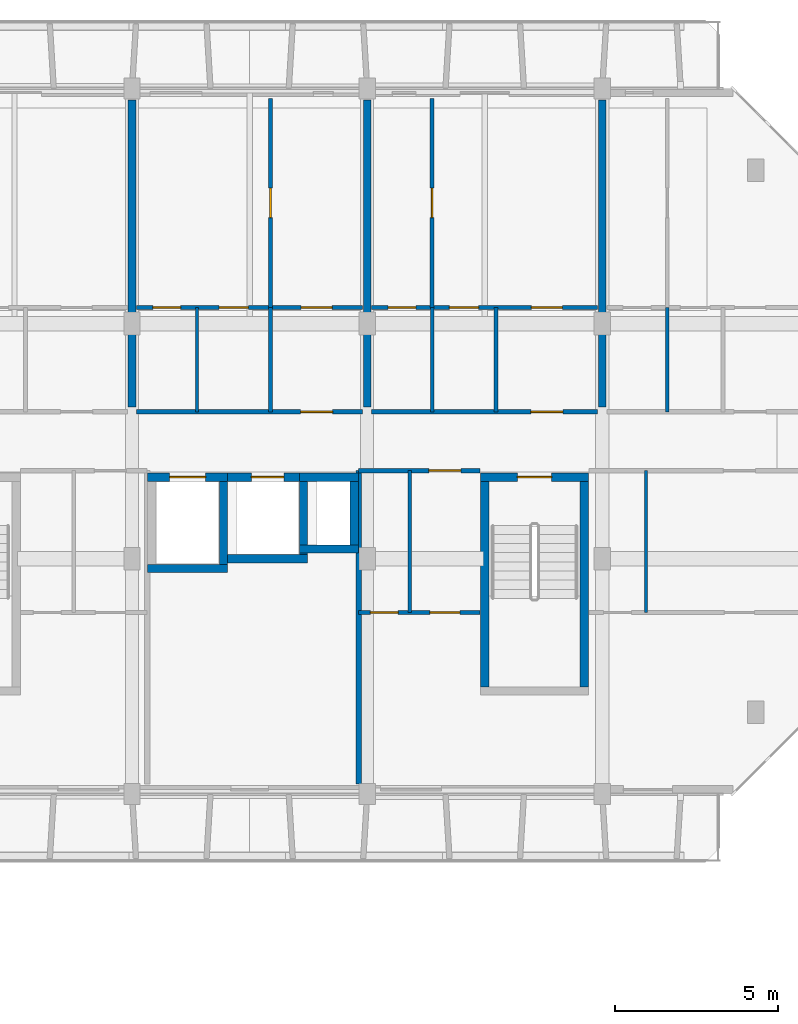
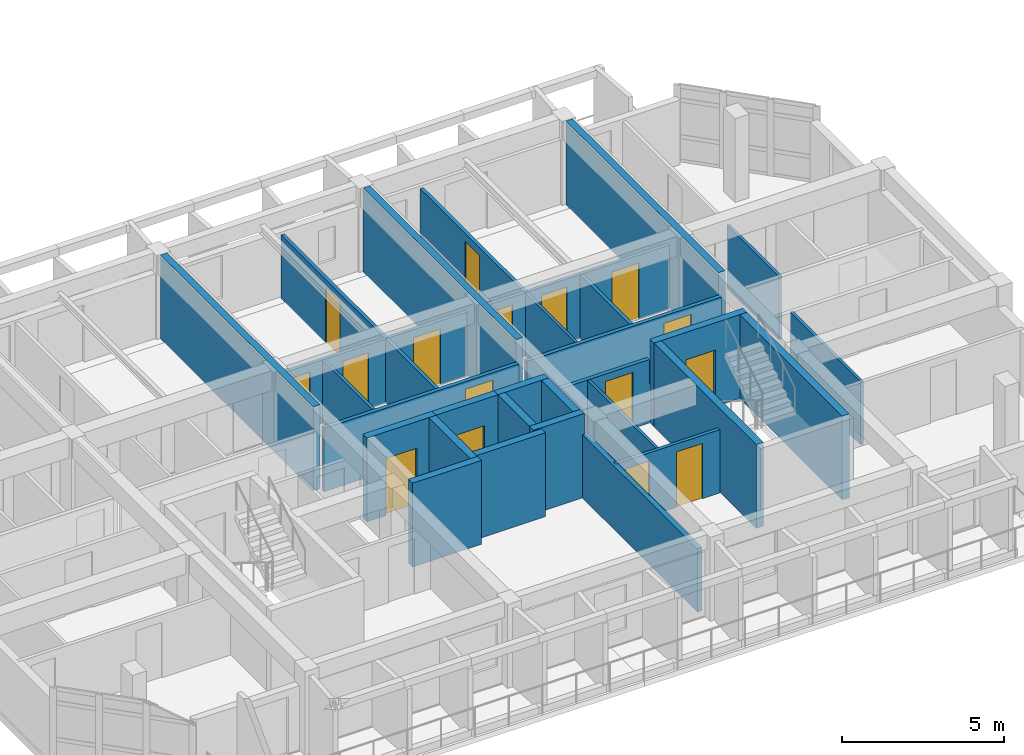
# One storey, part 37 of 64: 31 walls, 16 doors, 16 openings.
"""IFC4 building model written with IfcOpenShell, lengths in metres."""

import ifcopenshell
import ifcopenshell.guid

model = None  # the IFC model being written
_history = None  # IfcOwnerHistory: only IFC2X3 demands one
_inside = {}  # id of a spatial element -> (the spatial element, [elements in it])
_under = {}  # id of a project, library or spatial element -> (it, [spatial elements below it])
_declared = {}  # id of a project -> (the project, [libraries it declares])
_typed = {}  # id of a type object -> (the type object, [elements of that type])
_made_of = {}  # id of a material, layer set ... -> (it, [elements and type objects made of it])


def new_model(schema):
    """Start an empty IFC model of exactly this schema.

    Asked for "IFC4X3", IfcOpenShell would pick the latest addendum, in which some entities
    have other attributes; the version numbers below select the first issue.
    IFC2X3 requires an IfcOwnerHistory on every rooted entity: one is made here for all.
    """
    global model, _history
    if schema == "IFC4X3":
        model = ifcopenshell.file(schema_version=(4, 3, 0, 0))
    else:
        model = ifcopenshell.file(schema=schema)
    _inside.clear()
    _under.clear()
    _declared.clear()
    _typed.clear()
    _made_of.clear()
    _history = None
    if model.schema == "IFC2X3":
        org = make("IfcOrganization", Name="unknown")
        user = make(
            "IfcPersonAndOrganization",
            ThePerson=make("IfcPerson", FamilyName="unknown"),
            TheOrganization=org,
        )
        app = make(
            "IfcApplication",
            ApplicationDeveloper=org,
            Version="unknown",
            ApplicationFullName="unknown",
            ApplicationIdentifier="unknown",
        )
        _history = make(
            "IfcOwnerHistory",
            OwningUser=user,
            OwningApplication=app,
            ChangeAction="ADDED",
            CreationDate=0,
        )
    return model


def make(cls, **values):
    """One entity of the class cls with the attributes given. An attribute that is None is left unset."""
    return model.create_entity(
        cls, **{name: value for name, value in values.items() if value is not None}
    )


def rooted(cls, **values):
    """An entity with a GlobalId (a new one), such as an element, a storey or a relation."""
    return make(cls, GlobalId=ifcopenshell.guid.new(), OwnerHistory=_history, **values)


def si_unit(unit_type, name, prefix=None):
    """IfcSIUnit, for example si_unit("LENGTHUNIT", "METRE", prefix="MILLI")."""
    return make("IfcSIUnit", UnitType=unit_type, Prefix=prefix, Name=name)


def assignment(units):
    """IfcUnitAssignment: the units of a project."""
    return None if units is None else make("IfcUnitAssignment", Units=units)


def point(xyz):
    """IfcCartesianPoint."""
    return None if xyz is None else make("IfcCartesianPoint", Coordinates=xyz)


def direction(xyz):
    """IfcDirection."""
    return None if xyz is None else make("IfcDirection", DirectionRatios=xyz)


def frame(location, z_axis=None, x_axis=None):
    """IfcAxis2Placement3D, a coordinate frame: its origin and axes. An axis left out is left unset."""
    return make(
        "IfcAxis2Placement3D",
        Location=point(location),
        Axis=direction(z_axis),
        RefDirection=direction(x_axis),
    )


def frame_2d(location, x_axis=None):
    """IfcAxis2Placement2D, a coordinate frame in the plane: its origin and x axis."""
    return make(
        "IfcAxis2Placement2D", Location=point(location), RefDirection=direction(x_axis)
    )


def origin():
    """The frame at (0, 0, 0) with its axes left unset."""
    return frame((0.0, 0.0, 0.0))


def place(relative_to, where):
    """IfcLocalPlacement: puts the frame where relative to a parent placement (None: the world)."""
    return make(
        "IfcLocalPlacement", PlacementRelTo=relative_to, RelativePlacement=where
    )


def context(
    kind, dimensions, precision=None, world=None, true_north=None, identifier=None
):
    """IfcGeometricRepresentationContext, for example the 3D "Model" context."""
    return make(
        "IfcGeometricRepresentationContext",
        ContextIdentifier=identifier,
        ContextType=kind,
        CoordinateSpaceDimension=dimensions,
        Precision=precision,
        WorldCoordinateSystem=world,
        TrueNorth=true_north,
    )


def subcontext(parent, identifier, kind, view, scale=None):
    """IfcGeometricRepresentationSubContext, for example "Body" below "Model"."""
    return make(
        "IfcGeometricRepresentationSubContext",
        ContextIdentifier=identifier,
        ContextType=kind,
        ParentContext=parent,
        TargetScale=scale,
        TargetView=view,
    )


def project(units=None, contexts=None):
    """IfcProject with its units and contexts."""
    return rooted(
        "IfcProject",
        Name="project",
        RepresentationContexts=contexts,
        UnitsInContext=assignment(units),
    )


def spatial(cls, under=None, at=None, **own):
    """A site, building, storey or space (cls), placed at a placement, below another one or the project."""
    s = rooted(cls, ObjectPlacement=at, **own)
    if under is not None:
        _under.setdefault(under.id(), (under, []))[1].append(s)
    return s


def profile(cls, at=None, kind="AREA", **sizes):
    """A parametric profile (cls). Its sizes go by their IFC names, for example OverallWidth=200.0."""
    return make(cls, ProfileType=kind, Position=at, **sizes)


def rectangle(**sizes):
    """IfcRectangleProfileDef."""
    return profile("IfcRectangleProfileDef", **sizes)


def extrude(swept, where, along, depth):
    """IfcExtrudedAreaSolid: the profile swept, set in the frame where, extruded along a direction by depth."""
    return make(
        "IfcExtrudedAreaSolid",
        SweptArea=swept,
        Position=where,
        ExtrudedDirection=direction(along),
        Depth=depth,
    )


def shape(context_of_items, identifier, shape_type, items):
    """IfcShapeRepresentation: the items that make up one representation, for example the "Body"."""
    return make(
        "IfcShapeRepresentation",
        ContextOfItems=context_of_items,
        RepresentationIdentifier=identifier,
        RepresentationType=shape_type,
        Items=items,
    )


def material(Name=None, Category=None):
    """IfcMaterial."""
    return make("IfcMaterial", Name=Name, Category=Category)


def layer(
    of_material, thickness, ventilated=None, Name=None, Category=None, Priority=None
):
    """IfcMaterialLayer: one layer of a wall or slab, of a material (None: an air gap)."""
    return make(
        "IfcMaterialLayer",
        Material=of_material,
        LayerThickness=thickness,
        IsVentilated=ventilated,
        Name=Name,
        Category=Category,
        Priority=Priority,
    )


def layer_set(layers, Name=None):
    """IfcMaterialLayerSet."""
    return make("IfcMaterialLayerSet", MaterialLayers=layers, LayerSetName=Name)


def made_of(thing, what):
    """Note that an element or type object is made of a material, layer set ...; save() writes the relation."""
    if what is not None:
        _made_of.setdefault(what.id(), (what, []))[1].append(thing)
    return thing


def type_object(cls, material=None, **own):
    """A type object (cls), such as IfcWallType, which elements share."""
    return made_of(rooted(cls, **own), material)


def element(
    cls,
    number,
    at=None,
    inside=None,
    cuts=None,
    type_object=None,
    material=None,
    context=None,
    identifier="Body",
    shape_type=None,
    held_by="IfcProductDefinitionShape",
    body=None,
    shapes=None,
    **own,
):
    """One element of the class cls, such as IfcWall. Its Tag is "e" and its number.

    at: its placement. inside: the storey or other place that contains it. cuts: it is an
    opening in that element (IfcRelVoidsElement). A single representation is given by context,
    identifier, shape_type and body (its items); several are given by shapes. held_by: the class
    of the entity that holds the representations. save() writes the other relations.
    """
    e = rooted(cls, Tag="e%d" % number, ObjectPlacement=at, **own)
    if body is not None:
        shapes = [shape(context, identifier, shape_type, body)]
    if shapes is not None:
        e.Representation = make(held_by, Representations=shapes)
    if inside is not None:
        _inside.setdefault(inside.id(), (inside, []))[1].append(e)
    if cuts is not None:
        rooted(
            "IfcRelVoidsElement", RelatingBuildingElement=cuts, RelatedOpeningElement=e
        )
    if type_object is not None:
        _typed.setdefault(type_object.id(), (type_object, []))[1].append(e)
    return made_of(e, material)


def fill(opening, filler):
    """IfcRelFillsElement: the door or window that sits in an opening."""
    return rooted(
        "IfcRelFillsElement",
        RelatingOpeningElement=opening,
        RelatedBuildingElement=filler,
    )


def aggregate(whole, parts):
    """IfcRelAggregates: a whole, such as a stair, and the parts it consists of."""
    return rooted("IfcRelAggregates", RelatingObject=whole, RelatedObjects=parts)


def save(model, path):
    """Write the relations noted so far, then the file.

    IfcRelAggregates (storeys below a building ...), IfcRelContainedInSpatialStructure (elements
    in a storey), IfcRelDefinesByType, IfcRelAssociatesMaterial and IfcRelDeclares: one each for
    every whole, place, type object, material and project.
    """
    for whole, parts in _under.values():
        aggregate(whole, parts)
    for where, things in _inside.values():
        rooted(
            "IfcRelContainedInSpatialStructure",
            RelatedElements=things,
            RelatingStructure=where,
        )
    for kind, things in _typed.values():
        rooted("IfcRelDefinesByType", RelatedObjects=things, RelatingType=kind)
    for what, things in _made_of.values():
        rooted("IfcRelAssociatesMaterial", RelatedObjects=things, RelatingMaterial=what)
    for by, libraries in _declared.values():
        rooted("IfcRelDeclares", RelatingContext=by, RelatedDefinitions=libraries)
    model.write(path)


model = new_model("IFC4")

# Units and contexts
model_context = context("Model", 3, precision=1e-05, world=origin(), true_north=direction((0.0, 1.0)))
body_context = subcontext(model_context, "Body", "Model", "MODEL_VIEW")
ifc_project = project(units=[si_unit("LENGTHUNIT", "METRE"), si_unit("AREAUNIT", "SQUARE_METRE"), si_unit("VOLUMEUNIT", "CUBIC_METRE"), si_unit("PLANEANGLEUNIT", "RADIAN"), si_unit("MASSUNIT", "GRAM", prefix="KILO")], contexts=[model_context])

# Site, building, storey
site_placement = place(None, origin())
site = spatial("IfcSite", under=ifc_project, at=site_placement, CompositionType="ELEMENT")
building_placement = place(site_placement, origin())
building = spatial("IfcBuilding", under=site, at=building_placement, Name="Ochrevale Crest", CompositionType="ELEMENT")
storey_placement = place(building_placement, frame((0.0, 0.0, 8.699951171875)))
storey = spatial("IfcBuildingStorey", under=building, at=storey_placement, Name="L02", CompositionType="ELEMENT", Elevation=8.699951171875)

# Wall, opening, door
ifc_material_1 = material(Name="Gypsum plasterboard", Category="gypsum")
ifc_layer_1 = layer(ifc_material_1, 0.139892578125)
ifc_layer_set_1 = layer_set([ifc_layer_1], Name="Gypsum plasterboard")
wall_type_1 = type_object("IfcWallType", Name="WL-COR-140", PredefinedType="PARTITIONING", material=ifc_layer_set_1)
wall_1_placement = place(storey_placement, frame((14.5400390625, 83.699951171875, 0.0), z_axis=(0.0, 0.0, 1.0), x_axis=(1.0, 0.0, 0.0)))
wall_1 = element("IfcWall", 1, at=wall_1_placement, inside=storey, type_object=wall_type_1, Name="Apartment B-L02-U3 corridor wall", PredefinedType="PARTITIONING", context=body_context, shape_type="SweptSolid", body=[
    extrude(rectangle(XDim=6.919921875, YDim=0.139892578125, at=frame_2d((3.4599609375, 0.0))), origin(), (0.0, 0.0, 1.0), 2.380126953125),
])
opening_1_placement = place(wall_1_placement, frame((5.02001953125, 0.0, 0.0)))
opening_1 = element("IfcOpeningElement", 2, at=opening_1_placement, cuts=wall_1, Name="Opening FD01", PredefinedType="OPENING", context=body_context, shape_type="SweptSolid", body=[
    extrude(rectangle(XDim=0.97998046875, YDim=2.10009765625, at=frame_2d((0.489990234375, 1.050048828125))), frame((0.0, 0.080078125, 0.0), z_axis=(0.0, -1.0, 0.0), x_axis=(1.0, 0.0, 0.0)), (0.0, 0.0, 1.0), 0.159912109375),
])
ifc_material_2 = material(Name="Solid-core FSC hardwood", Category="wood")
door_type_1 = type_object("IfcDoorType", Name="DR-APT-950", OperationType="NOTDEFINED", PredefinedType="DOOR", material=ifc_material_2)
door_1_placement = place(opening_1_placement, origin())
door_1 = element("IfcDoor", 3, at=door_1_placement, inside=storey, type_object=door_type_1, Name="Apartment B-L02-U3 entrance door", OperationType="SINGLE_SWING_LEFT", OverallHeight=2.10009765625, OverallWidth=0.97998046875, PredefinedType="DOOR", context=body_context, shape_type="SweptSolid", body=[
    extrude(rectangle(XDim=0.97998046875, YDim=2.10009765625, at=frame_2d((0.489990234375, 1.050048828125))), frame((0.0, 0.02490234375, 0.0), z_axis=(0.0, -1.0, 0.0), x_axis=(1.0, 0.0, 0.0)), (0.0, 0.0, 1.0), 0.050048828125),
])
fill(opening_1, door_1)

wall_2_placement = place(storey_placement, frame((21.739990234375, 83.699951171875, 0.0), z_axis=(0.0, 0.0, 1.0), x_axis=(1.0, 0.0, 0.0)))
wall_2 = element("IfcWall", 4, at=wall_2_placement, inside=storey, type_object=wall_type_1, Name="Apartment B-L02-U4 corridor wall", PredefinedType="PARTITIONING", context=body_context, shape_type="SweptSolid", body=[
    extrude(rectangle(XDim=6.919921875, YDim=0.139892578125, at=frame_2d((3.4599609375, 0.0))), origin(), (0.0, 0.0, 1.0), 2.380126953125),
])
opening_2_placement = place(wall_2_placement, frame((5.85009765625, 0.0, 0.0), z_axis=(0.0, 0.0, 1.0), x_axis=(-1.0, 0.0, 0.0)))
opening_2 = element("IfcOpeningElement", 5, at=opening_2_placement, cuts=wall_2, Name="Opening FD01", PredefinedType="OPENING", context=body_context, shape_type="SweptSolid", body=[
    extrude(rectangle(XDim=0.97998046875, YDim=2.10009765625, at=frame_2d((0.489990234375, 1.050048828125))), frame((0.0, 0.080078125, 0.0), z_axis=(0.0, -1.0, 0.0), x_axis=(1.0, 0.0, 0.0)), (0.0, 0.0, 1.0), 0.159912109375),
])
door_2_placement = place(opening_2_placement, origin())
door_2 = element("IfcDoor", 6, at=door_2_placement, inside=storey, type_object=door_type_1, Name="Apartment B-L02-U4 entrance door", OperationType="SINGLE_SWING_RIGHT", OverallHeight=2.10009765625, OverallWidth=0.97998046875, PredefinedType="DOOR", context=body_context, shape_type="SweptSolid", body=[
    extrude(rectangle(XDim=0.97998046875, YDim=2.10009765625, at=frame_2d((0.489990234375, 1.050048828125))), frame((0.0, 0.02490234375, 0.0), z_axis=(0.0, -1.0, 0.0), x_axis=(1.0, 0.0, 0.0)), (0.0, 0.0, 1.0), 0.050048828125),
])
fill(opening_2, door_2)

wall_3_placement = place(storey_placement, frame((21.340087890625, 81.89990234375, 0.0), z_axis=(0.0, 0.0, 1.0), x_axis=(1.0, 0.0, 0.0)))
wall_3 = element("IfcWall", 7, at=wall_3_placement, inside=storey, type_object=wall_type_1, Name="Suite B-L02-ME corridor wall", PredefinedType="PARTITIONING", context=body_context, shape_type="SweptSolid", body=[
    extrude(rectangle(XDim=3.719970703125, YDim=0.139892578125, at=frame_2d((1.85986328125, 0.0))), origin(), (0.0, 0.0, 1.0), 2.380126953125),
])
opening_3_placement = place(wall_3_placement, frame((3.131103515625, 0.0, 0.0), z_axis=(0.0, 0.0, 1.0), x_axis=(-1.0, 0.0, 0.0)))
opening_3 = element("IfcOpeningElement", 8, at=opening_3_placement, cuts=wall_3, Name="Opening FD01", PredefinedType="OPENING", context=body_context, shape_type="SweptSolid", body=[
    extrude(rectangle(XDim=0.97998046875, YDim=2.10009765625, at=frame_2d((0.489990234375, 1.050048828125))), frame((0.0, 0.080078125, 0.0), z_axis=(0.0, -1.0, 0.0), x_axis=(1.0, 0.0, 0.0)), (0.0, 0.0, 1.0), 0.159912109375),
])
door_3_placement = place(opening_3_placement, origin())
door_3 = element("IfcDoor", 9, at=door_3_placement, inside=storey, type_object=door_type_1, Name="Suite B-L02-ME entrance door", OperationType="SINGLE_SWING_RIGHT", OverallHeight=2.10009765625, OverallWidth=0.97998046875, PredefinedType="DOOR", context=body_context, shape_type="SweptSolid", body=[
    extrude(rectangle(XDim=0.97998046875, YDim=2.10009765625, at=frame_2d((0.489990234375, 1.050048828125))), frame((0.0, 0.02490234375, 0.0), z_axis=(0.0, -1.0, 0.0), x_axis=(1.0, 0.0, 0.0)), (0.0, 0.0, 1.0), 0.050048828125),
])
fill(opening_3, door_3)

ifc_material_3 = material(Name="Precast concrete C50/60", Category="concrete")
ifc_layer_2 = layer(ifc_material_3, 0.2548828125)
ifc_layer_set_2 = layer_set([ifc_layer_2], Name="Precast concrete C50/60")
wall_type_2 = type_object("IfcWallType", Name="WL-CORE-255", PredefinedType="SHEAR", material=ifc_layer_set_2)
wall_4_placement = place(storey_placement, frame((25.072509765625, 81.699951171875, 0.0), z_axis=(0.0, 0.0, 1.0), x_axis=(1.0, 0.0, 0.0)))
wall_4 = element("IfcWall", 10, at=wall_4_placement, inside=storey, type_object=wall_type_2, Name="Block B L02 Stair 2 precast core shear wall N", PredefinedType="SHEAR", context=body_context, shape_type="SweptSolid", body=[
    extrude(rectangle(XDim=3.304931640625, YDim=0.2548828125, at=frame_2d((1.65234375, 0.0))), origin(), (0.0, 0.0, 1.0), 3.150146484375),
])
opening_4_placement = place(wall_4_placement, frame((1.12744140625, 0.0, 0.0)))
opening_4 = element("IfcOpeningElement", 11, at=opening_4_placement, cuts=wall_4, Name="Opening FD03", PredefinedType="OPENING", context=body_context, shape_type="SweptSolid", body=[
    extrude(rectangle(XDim=1.050048828125, YDim=2.1201171875, at=frame_2d((0.52490234375, 1.06005859375))), frame((0.0, 0.137451171875, 0.0), z_axis=(0.0, -1.0, 0.0), x_axis=(1.0, 0.0, 0.0)), (0.0, 0.0, 1.0), 0.27490234375),
])
door_type_2 = type_object("IfcDoorType", Name="DR-ST-1050", OperationType="NOTDEFINED", PredefinedType="DOOR", material=ifc_material_2)
door_4_placement = place(opening_4_placement, origin())
door_4 = element("IfcDoor", 12, at=door_4_placement, inside=storey, type_object=door_type_2, Name="Block B L02 fire stair 2 door", OperationType="SINGLE_SWING_LEFT", OverallHeight=2.1201171875, OverallWidth=1.050048828125, PredefinedType="DOOR", context=body_context, shape_type="SweptSolid", body=[
    extrude(rectangle(XDim=1.050048828125, YDim=2.1201171875, at=frame_2d((0.52490234375, 1.06005859375))), frame((0.0, 0.02490234375, 0.0), z_axis=(0.0, -1.0, 0.0), x_axis=(1.0, 0.0, 0.0)), (0.0, 0.0, 1.0), 0.050048828125),
])
fill(opening_4, door_4)

# Walls
for number, where, z_axis, x_axis, name in (
    (13, (25.199951171875, 75.277587890625, 0.0), (0.0, 0.0, 1.0), (0.0, 1.0, 0.0), "Block B L02 Stair 2 precast core shear wall W"),
    (14, (28.25, 75.277587890625, 0.0), (0.0, 0.0, 1.0), (0.0, 1.0, 0.0), "Block B L02 Stair 2 precast core shear wall E"),
):
    element("IfcWall", number, at=place(storey_placement, frame(where, z_axis=z_axis, x_axis=x_axis)), inside=storey, type_object=wall_type_2, Name=name, PredefinedType="SHEAR", context=body_context, shape_type="SweptSolid", body=[
        extrude(rectangle(XDim=6.294921875, YDim=0.2548828125, at=frame_2d((3.1474609375, 0.0))), origin(), (0.0, 0.0, 1.0), 3.150146484375),
    ])
wall_5_placement = place(storey_placement, frame((14.87255859375, 78.89990234375, 0.0), z_axis=(0.0, 0.0, 1.0), x_axis=(1.0, 0.0, 0.0)))
element("IfcWall", 15, at=wall_5_placement, inside=storey, type_object=wall_type_2, Name="Block B L02 Lift 1 precast shaft shear wall S", PredefinedType="SHEAR", context=body_context, shape_type="SweptSolid", body=[
    extrude(rectangle(XDim=2.454833984375, YDim=0.2548828125, at=frame_2d((1.2275390625, 0.0))), origin(), (0.0, 0.0, 1.0), 3.150146484375),
])

# Wall, opening, door
wall_6_placement = place(storey_placement, frame((14.87255859375, 81.699951171875, 0.0), z_axis=(0.0, 0.0, 1.0), x_axis=(1.0, 0.0, 0.0)))
wall_6 = element("IfcWall", 16, at=wall_6_placement, inside=storey, type_object=wall_type_2, Name="Block B L02 Lift 1 precast shaft shear wall N", PredefinedType="SHEAR", context=body_context, shape_type="SweptSolid", body=[
    extrude(rectangle(XDim=2.454833984375, YDim=0.2548828125, at=frame_2d((1.2275390625, 0.0))), origin(), (0.0, 0.0, 1.0), 3.150146484375),
])
opening_5_placement = place(wall_6_placement, frame((0.677490234375, 0.0, 0.0)))
opening_5 = element("IfcOpeningElement", 17, at=opening_5_placement, cuts=wall_6, Name="Opening LD01", PredefinedType="OPENING", context=body_context, shape_type="SweptSolid", body=[
    extrude(rectangle(XDim=1.10009765625, YDim=2.14990234375, at=frame_2d((0.550048828125, 1.074951171875))), frame((0.0, 0.137451171875, 0.0), z_axis=(0.0, -1.0, 0.0), x_axis=(1.0, 0.0, 0.0)), (0.0, 0.0, 1.0), 0.27490234375),
])
door_type_3 = type_object("IfcDoorType", Name="DR-LIFT-1100", OperationType="NOTDEFINED", PredefinedType="DOOR", material=ifc_material_2)
door_5_placement = place(opening_5_placement, origin())
door_5 = element("IfcDoor", 18, at=door_5_placement, inside=storey, type_object=door_type_3, Name="Lift LF-B1 L02 sliding landing door", OperationType="SLIDING_TO_LEFT", OverallHeight=2.14990234375, OverallWidth=1.10009765625, PredefinedType="DOOR", context=body_context, shape_type="SweptSolid", body=[
    extrude(rectangle(XDim=1.10009765625, YDim=2.14990234375, at=frame_2d((0.550048828125, 1.074951171875))), frame((0.0, 0.02490234375, 0.0), z_axis=(0.0, -1.0, 0.0), x_axis=(1.0, 0.0, 0.0)), (0.0, 0.0, 1.0), 0.050048828125),
])
fill(opening_5, door_5)

# Walls
wall_7_placement = place(storey_placement, frame((17.199951171875, 79.027587890625, 0.0), z_axis=(0.0, 0.0, 1.0), x_axis=(0.0, 1.0, 0.0)))
element("IfcWall", 19, at=wall_7_placement, inside=storey, type_object=wall_type_2, Name="Block B L02 Lift 1 precast shaft shear wall E", PredefinedType="SHEAR", context=body_context, shape_type="SweptSolid", body=[
    extrude(rectangle(XDim=2.544921875, YDim=0.2548828125, at=frame_2d((1.2724609375, 0.0))), origin(), (0.0, 0.0, 1.0), 3.150146484375),
])
wall_8_placement = place(storey_placement, frame((17.322509765625, 79.199951171875, 0.0), z_axis=(0.0, 0.0, 1.0), x_axis=(1.0, 0.0, 0.0)))
element("IfcWall", 20, at=wall_8_placement, inside=storey, type_object=wall_type_2, Name="Block B L02 Lift 2 precast shaft shear wall S", PredefinedType="SHEAR", context=body_context, shape_type="SweptSolid", body=[
    extrude(rectangle(XDim=2.455078125, YDim=0.2548828125, at=frame_2d((1.2275390625, 0.0))), origin(), (0.0, 0.0, 1.0), 3.150146484375),
])

# Wall, opening, door
wall_9_placement = place(storey_placement, frame((17.322509765625, 81.699951171875, 0.0), z_axis=(0.0, 0.0, 1.0), x_axis=(1.0, 0.0, 0.0)))
wall_9 = element("IfcWall", 21, at=wall_9_placement, inside=storey, type_object=wall_type_2, Name="Block B L02 Lift 2 precast shaft shear wall N", PredefinedType="SHEAR", context=body_context, shape_type="SweptSolid", body=[
    extrude(rectangle(XDim=2.455078125, YDim=0.2548828125, at=frame_2d((1.2275390625, 0.0))), origin(), (0.0, 0.0, 1.0), 3.150146484375),
])
opening_6_placement = place(wall_9_placement, frame((0.7275390625, 0.0, 0.0)))
opening_6 = element("IfcOpeningElement", 22, at=opening_6_placement, cuts=wall_9, Name="Opening LD02", PredefinedType="OPENING", context=body_context, shape_type="SweptSolid", body=[
    extrude(rectangle(XDim=1.0, YDim=2.14990234375, at=frame_2d((0.5, 1.074951171875))), frame((0.0, 0.137451171875, 0.0), z_axis=(0.0, -1.0, 0.0), x_axis=(1.0, 0.0, 0.0)), (0.0, 0.0, 1.0), 0.27490234375),
])
door_type_4 = type_object("IfcDoorType", Name="DR-LIFT-1000", OperationType="NOTDEFINED", PredefinedType="DOOR", material=ifc_material_2)
door_6_placement = place(opening_6_placement, origin())
door_6 = element("IfcDoor", 23, at=door_6_placement, inside=storey, type_object=door_type_4, Name="Lift LP-B2 L02 sliding landing door", OperationType="SLIDING_TO_RIGHT", OverallHeight=2.14990234375, OverallWidth=1.0, PredefinedType="DOOR", context=body_context, shape_type="SweptSolid", body=[
    extrude(rectangle(XDim=1.0, YDim=2.14990234375, at=frame_2d((0.5, 1.074951171875))), frame((0.0, 0.02490234375, 0.0), z_axis=(0.0, -1.0, 0.0), x_axis=(1.0, 0.0, 0.0)), (0.0, 0.0, 1.0), 0.050048828125),
])
fill(opening_6, door_6)

# Walls
wall_10_placement = place(storey_placement, frame((19.64990234375, 79.327392578125, 0.0), z_axis=(0.0, 0.0, 1.0), x_axis=(0.0, 1.0, 0.0)))
element("IfcWall", 24, at=wall_10_placement, inside=storey, type_object=wall_type_2, Name="Block B L02 Lift 2 precast shaft shear wall E", PredefinedType="SHEAR", context=body_context, shape_type="SweptSolid", body=[
    extrude(rectangle(XDim=2.2451171875, YDim=0.2548828125, at=frame_2d((1.12255859375, 0.0))), origin(), (0.0, 0.0, 1.0), 3.150146484375),
])
for number, where, z_axis, x_axis, name in (
    (25, (19.5224609375, 79.5, 0.0), (0.0, 0.0, 1.0), (1.0, 0.0, 0.0), "Block B L02 services riser shaft core wall S"),
    (26, (19.5224609375, 81.699951171875, 0.0), (0.0, 0.0, 1.0), (1.0, 0.0, 0.0), "Block B L02 services riser shaft core wall N"),
):
    element("IfcWall", number, at=place(storey_placement, frame(where, z_axis=z_axis, x_axis=x_axis)), inside=storey, type_object=wall_type_2, Name=name, PredefinedType="SHEAR", context=body_context, shape_type="SweptSolid", body=[
        extrude(rectangle(XDim=1.804931640625, YDim=0.2548828125, at=frame_2d((0.90234375, 0.0))), origin(), (0.0, 0.0, 1.0), 3.150146484375),
    ])
wall_11_placement = place(storey_placement, frame((21.199951171875, 79.62744140625, 0.0), z_axis=(0.0, 0.0, 1.0), x_axis=(0.0, 1.0, 0.0)))
element("IfcWall", 27, at=wall_11_placement, inside=storey, type_object=wall_type_2, Name="Block B L02 services riser shaft core wall E", PredefinedType="SHEAR", context=body_context, shape_type="SweptSolid", body=[
    extrude(rectangle(XDim=1.945068359375, YDim=0.2548828125, at=frame_2d((0.97265625, 0.0))), origin(), (0.0, 0.0, 1.0), 3.150146484375),
])
ifc_layer_3 = layer(ifc_material_1, 0.1201171875)
ifc_layer_set_3 = layer_set([ifc_layer_3], Name="Gypsum plasterboard")
wall_type_3 = type_object("IfcWallType", Name="WL-PART-120", PredefinedType="PARTITIONING", material=ifc_layer_set_3)
wall_12_placement = place(storey_placement, frame((18.639892578125, 83.699951171875, 0.0), z_axis=(0.0, 0.0, 1.0), x_axis=(0.0, 1.0, 0.0)))
element("IfcWall", 28, at=wall_12_placement, inside=storey, type_object=wall_type_3, Name="Apartment B-L02-U3 kitchen-foyer wall", PredefinedType="PARTITIONING", context=body_context, shape_type="SweptSolid", body=[
    extrude(rectangle(XDim=3.199951171875, YDim=0.1201171875, at=frame_2d((1.60009765625, 0.0))), origin(), (0.0, 0.0, 1.0), 2.375),
])

# Wall, openings, doors
wall_13_placement = place(storey_placement, frame((14.5400390625, 86.89990234375, 0.0), z_axis=(0.0, 0.0, 1.0), x_axis=(1.0, 0.0, 0.0)))
wall_13 = element("IfcWall", 29, at=wall_13_placement, inside=storey, type_object=wall_type_3, Name="Apartment B-L02-U3 central partition", PredefinedType="PARTITIONING", context=body_context, shape_type="SweptSolid", body=[
    extrude(rectangle(XDim=6.919921875, YDim=0.1201171875, at=frame_2d((3.4599609375, 0.0))), origin(), (0.0, 0.0, 1.0), 2.380126953125),
])
opening_7_placement = place(wall_13_placement, frame((1.35009765625, 0.0, 0.0), z_axis=(0.0, 0.0, 1.0), x_axis=(-1.0, 0.0, 0.0)))
opening_7 = element("IfcOpeningElement", 30, at=opening_7_placement, cuts=wall_13, Name="Opening ID01", PredefinedType="OPENING", context=body_context, shape_type="SweptSolid", body=[
    extrude(rectangle(XDim=0.85009765625, YDim=2.080078125, at=frame_2d((0.425048828125, 1.0400390625))), frame((0.0, 0.070068359375, 0.0), z_axis=(0.0, -1.0, 0.0), x_axis=(1.0, 0.0, 0.0)), (0.0, 0.0, 1.0), 0.14013671875),
])
opening_8_placement = place(wall_13_placement, frame((2.52490234375, 0.0, 0.0)))
opening_8 = element("IfcOpeningElement", 31, at=opening_8_placement, cuts=wall_13, Name="Opening ID02", PredefinedType="OPENING", context=body_context, shape_type="SweptSolid", body=[
    extrude(rectangle(XDim=0.89990234375, YDim=2.080078125, at=frame_2d((0.449951171875, 1.0400390625))), frame((0.0, 0.070068359375, 0.0), z_axis=(0.0, -1.0, 0.0), x_axis=(1.0, 0.0, 0.0)), (0.0, 0.0, 1.0), 0.14013671875),
])
opening_9_placement = place(wall_13_placement, frame((5.98486328125, 0.0, 0.0), z_axis=(0.0, 0.0, 1.0), x_axis=(-1.0, 0.0, 0.0)))
opening_9 = element("IfcOpeningElement", 32, at=opening_9_placement, cuts=wall_13, Name="Opening ID06", PredefinedType="OPENING", context=body_context, shape_type="SweptSolid", body=[
    extrude(rectangle(XDim=0.949951171875, YDim=2.080078125, at=frame_2d((0.47509765625, 1.0400390625))), frame((0.0, 0.070068359375, 0.0), z_axis=(0.0, -1.0, 0.0), x_axis=(1.0, 0.0, 0.0)), (0.0, 0.0, 1.0), 0.14013671875),
])
door_type_5 = type_object("IfcDoorType", Name="DR-INT-900", OperationType="NOTDEFINED", PredefinedType="DOOR", material=ifc_material_2)
door_7_placement = place(opening_8_placement, origin())
door_7 = element("IfcDoor", 33, at=door_7_placement, inside=storey, type_object=door_type_5, Name="Apartment B-L02-U3 Kitchen door", OperationType="SINGLE_SWING_LEFT", OverallHeight=2.080078125, OverallWidth=0.89990234375, PredefinedType="DOOR", context=body_context, shape_type="SweptSolid", body=[
    extrude(rectangle(XDim=0.89990234375, YDim=2.080078125, at=frame_2d((0.449951171875, 1.0400390625))), frame((0.0, 0.02490234375, 0.0), z_axis=(0.0, -1.0, 0.0), x_axis=(1.0, 0.0, 0.0)), (0.0, 0.0, 1.0), 0.050048828125),
])
fill(opening_8, door_7)
door_type_6 = type_object("IfcDoorType", Name="DR-INT-950", OperationType="NOTDEFINED", PredefinedType="DOOR", material=ifc_material_2)
door_8_placement = place(opening_9_placement, origin())
door_8 = element("IfcDoor", 34, at=door_8_placement, inside=storey, type_object=door_type_6, Name="Apartment B-L02-U3 Living Foyer door", OperationType="SINGLE_SWING_RIGHT", OverallHeight=2.080078125, OverallWidth=0.949951171875, PredefinedType="DOOR", context=body_context, shape_type="SweptSolid", body=[
    extrude(rectangle(XDim=0.949951171875, YDim=2.080078125, at=frame_2d((0.47509765625, 1.0400390625))), frame((0.0, 0.02490234375, 0.0), z_axis=(0.0, -1.0, 0.0), x_axis=(1.0, 0.0, 0.0)), (0.0, 0.0, 1.0), 0.050048828125),
])
fill(opening_9, door_8)
door_type_7 = type_object("IfcDoorType", Name="DR-WC-850", OperationType="NOTDEFINED", PredefinedType="DOOR", material=ifc_material_2)
door_9_placement = place(opening_7_placement, origin())
door_9 = element("IfcDoor", 35, at=door_9_placement, inside=storey, type_object=door_type_7, Name="Apartment B-L02-U3 Bathroom door", OperationType="SINGLE_SWING_RIGHT", OverallHeight=2.080078125, OverallWidth=0.85009765625, PredefinedType="DOOR", context=body_context, shape_type="SweptSolid", body=[
    extrude(rectangle(XDim=0.85009765625, YDim=2.080078125, at=frame_2d((0.425048828125, 1.0400390625))), frame((0.0, 0.02490234375, 0.0), z_axis=(0.0, -1.0, 0.0), x_axis=(1.0, 0.0, 0.0)), (0.0, 0.0, 1.0), 0.050048828125),
])
fill(opening_7, door_9)

# Wall, opening, door
wall_14_placement = place(storey_placement, frame((18.639892578125, 86.89990234375, 0.0), z_axis=(0.0, 0.0, 1.0), x_axis=(0.0, 1.0, 0.0)))
wall_14 = element("IfcWall", 36, at=wall_14_placement, inside=storey, type_object=wall_type_3, Name="Apartment B-L02-U3 bedroom partition", PredefinedType="PARTITIONING", context=body_context, shape_type="SweptSolid", body=[
    extrude(rectangle(XDim=6.400146484375, YDim=0.1201171875, at=frame_2d((3.2001953125, 0.0))), origin(), (0.0, 0.0, 1.0), 2.380126953125),
])
opening_10_placement = place(wall_14_placement, frame((2.75, 0.0, 0.0)))
opening_10 = element("IfcOpeningElement", 37, at=opening_10_placement, cuts=wall_14, Name="Opening ID02", PredefinedType="OPENING", context=body_context, shape_type="SweptSolid", body=[
    extrude(rectangle(XDim=0.89990234375, YDim=2.080078125, at=frame_2d((0.449951171875, 1.0400390625))), frame((0.0, 0.070068359375, 0.0), z_axis=(0.0, -1.0, 0.0), x_axis=(1.0, 0.0, 0.0)), (0.0, 0.0, 1.0), 0.14013671875),
])
door_10_placement = place(opening_10_placement, origin())
door_10 = element("IfcDoor", 38, at=door_10_placement, inside=storey, type_object=door_type_5, Name="Apartment B-L02-U3 Twin Bedroom door", OperationType="SINGLE_SWING_LEFT", OverallHeight=2.080078125, OverallWidth=0.89990234375, PredefinedType="DOOR", context=body_context, shape_type="SweptSolid", body=[
    extrude(rectangle(XDim=0.89990234375, YDim=2.080078125, at=frame_2d((0.449951171875, 1.0400390625))), frame((0.0, 0.02490234375, 0.0), z_axis=(0.0, -1.0, 0.0), x_axis=(1.0, 0.0, 0.0)), (0.0, 0.0, 1.0), 0.050048828125),
])
fill(opening_10, door_10)

# Wall
wall_15_placement = place(storey_placement, frame((25.5400390625, 83.699951171875, 0.0), z_axis=(0.0, 0.0, 1.0), x_axis=(0.0, 1.0, 0.0)))
element("IfcWall", 39, at=wall_15_placement, inside=storey, type_object=wall_type_3, Name="Apartment B-L02-U4 kitchen-foyer wall", PredefinedType="PARTITIONING", context=body_context, shape_type="SweptSolid", body=[
    extrude(rectangle(XDim=3.199951171875, YDim=0.1201171875, at=frame_2d((1.60009765625, 0.0))), origin(), (0.0, 0.0, 1.0), 2.375),
])

# Wall, openings, doors
wall_16_placement = place(storey_placement, frame((21.739990234375, 86.89990234375, 0.0), z_axis=(0.0, 0.0, 1.0), x_axis=(1.0, 0.0, 0.0)))
wall_16 = element("IfcWall", 40, at=wall_16_placement, inside=storey, type_object=wall_type_3, Name="Apartment B-L02-U4 central partition", PredefinedType="PARTITIONING", context=body_context, shape_type="SweptSolid", body=[
    extrude(rectangle(XDim=6.919921875, YDim=0.1201171875, at=frame_2d((3.4599609375, 0.0))), origin(), (0.0, 0.0, 1.0), 2.380126953125),
])
opening_11_placement = place(wall_16_placement, frame((0.5, 0.0, 0.0)))
opening_11 = element("IfcOpeningElement", 41, at=opening_11_placement, cuts=wall_16, Name="Opening ID01", PredefinedType="OPENING", context=body_context, shape_type="SweptSolid", body=[
    extrude(rectangle(XDim=0.85009765625, YDim=2.080078125, at=frame_2d((0.425048828125, 1.0400390625))), frame((0.0, 0.070068359375, 0.0), z_axis=(0.0, -1.0, 0.0), x_axis=(1.0, 0.0, 0.0)), (0.0, 0.0, 1.0), 0.14013671875),
])
opening_12_placement = place(wall_16_placement, frame((3.27490234375, 0.0, 0.0), z_axis=(0.0, 0.0, 1.0), x_axis=(-1.0, 0.0, 0.0)))
opening_12 = element("IfcOpeningElement", 42, at=opening_12_placement, cuts=wall_16, Name="Opening ID02", PredefinedType="OPENING", context=body_context, shape_type="SweptSolid", body=[
    extrude(rectangle(XDim=0.89990234375, YDim=2.080078125, at=frame_2d((0.449951171875, 1.0400390625))), frame((0.0, 0.070068359375, 0.0), z_axis=(0.0, -1.0, 0.0), x_axis=(1.0, 0.0, 0.0)), (0.0, 0.0, 1.0), 0.14013671875),
])
opening_13_placement = place(wall_16_placement, frame((4.885009765625, 0.0, 0.0)))
opening_13 = element("IfcOpeningElement", 43, at=opening_13_placement, cuts=wall_16, Name="Opening ID06", PredefinedType="OPENING", context=body_context, shape_type="SweptSolid", body=[
    extrude(rectangle(XDim=0.949951171875, YDim=2.080078125, at=frame_2d((0.47509765625, 1.0400390625))), frame((0.0, 0.070068359375, 0.0), z_axis=(0.0, -1.0, 0.0), x_axis=(1.0, 0.0, 0.0)), (0.0, 0.0, 1.0), 0.14013671875),
])
door_11_placement = place(opening_12_placement, origin())
door_11 = element("IfcDoor", 44, at=door_11_placement, inside=storey, type_object=door_type_5, Name="Apartment B-L02-U4 Kitchen door", OperationType="SINGLE_SWING_RIGHT", OverallHeight=2.080078125, OverallWidth=0.89990234375, PredefinedType="DOOR", context=body_context, shape_type="SweptSolid", body=[
    extrude(rectangle(XDim=0.89990234375, YDim=2.080078125, at=frame_2d((0.449951171875, 1.0400390625))), frame((0.0, 0.02490234375, 0.0), z_axis=(0.0, -1.0, 0.0), x_axis=(1.0, 0.0, 0.0)), (0.0, 0.0, 1.0), 0.050048828125),
])
fill(opening_12, door_11)
door_12_placement = place(opening_13_placement, origin())
door_12 = element("IfcDoor", 45, at=door_12_placement, inside=storey, type_object=door_type_6, Name="Apartment B-L02-U4 Living Foyer door", OperationType="SINGLE_SWING_LEFT", OverallHeight=2.080078125, OverallWidth=0.949951171875, PredefinedType="DOOR", context=body_context, shape_type="SweptSolid", body=[
    extrude(rectangle(XDim=0.949951171875, YDim=2.080078125, at=frame_2d((0.47509765625, 1.0400390625))), frame((0.0, 0.02490234375, 0.0), z_axis=(0.0, -1.0, 0.0), x_axis=(1.0, 0.0, 0.0)), (0.0, 0.0, 1.0), 0.050048828125),
])
fill(opening_13, door_12)
door_13_placement = place(opening_11_placement, origin())
door_13 = element("IfcDoor", 46, at=door_13_placement, inside=storey, type_object=door_type_7, Name="Apartment B-L02-U4 Bathroom door", OperationType="SINGLE_SWING_LEFT", OverallHeight=2.080078125, OverallWidth=0.85009765625, PredefinedType="DOOR", context=body_context, shape_type="SweptSolid", body=[
    extrude(rectangle(XDim=0.85009765625, YDim=2.080078125, at=frame_2d((0.425048828125, 1.0400390625))), frame((0.0, 0.02490234375, 0.0), z_axis=(0.0, -1.0, 0.0), x_axis=(1.0, 0.0, 0.0)), (0.0, 0.0, 1.0), 0.050048828125),
])
fill(opening_11, door_13)

# Wall, opening, door
wall_17_placement = place(storey_placement, frame((23.590087890625, 86.89990234375, 0.0), z_axis=(0.0, 0.0, 1.0), x_axis=(0.0, 1.0, 0.0)))
wall_17 = element("IfcWall", 47, at=wall_17_placement, inside=storey, type_object=wall_type_3, Name="Apartment B-L02-U4 bedroom partition", PredefinedType="PARTITIONING", context=body_context, shape_type="SweptSolid", body=[
    extrude(rectangle(XDim=6.400146484375, YDim=0.1201171875, at=frame_2d((3.2001953125, 0.0))), origin(), (0.0, 0.0, 1.0), 2.380126953125),
])
opening_14_placement = place(wall_17_placement, frame((3.64990234375, 0.0, 0.0), z_axis=(0.0, 0.0, 1.0), x_axis=(-1.0, 0.0, 0.0)))
opening_14 = element("IfcOpeningElement", 48, at=opening_14_placement, cuts=wall_17, Name="Opening ID02", PredefinedType="OPENING", context=body_context, shape_type="SweptSolid", body=[
    extrude(rectangle(XDim=0.89990234375, YDim=2.080078125, at=frame_2d((0.449951171875, 1.0400390625))), frame((0.0, 0.070068359375, 0.0), z_axis=(0.0, -1.0, 0.0), x_axis=(1.0, 0.0, 0.0)), (0.0, 0.0, 1.0), 0.14013671875),
])
door_14_placement = place(opening_14_placement, origin())
door_14 = element("IfcDoor", 49, at=door_14_placement, inside=storey, type_object=door_type_5, Name="Apartment B-L02-U4 Double Bedroom door", OperationType="SINGLE_SWING_RIGHT", OverallHeight=2.080078125, OverallWidth=0.89990234375, PredefinedType="DOOR", context=body_context, shape_type="SweptSolid", body=[
    extrude(rectangle(XDim=0.89990234375, YDim=2.080078125, at=frame_2d((0.449951171875, 1.0400390625))), frame((0.0, 0.02490234375, 0.0), z_axis=(0.0, -1.0, 0.0), x_axis=(1.0, 0.0, 0.0)), (0.0, 0.0, 1.0), 0.050048828125),
])
fill(opening_14, door_14)

# Wall, openings, doors
wall_18_placement = place(storey_placement, frame((21.340087890625, 77.550048828125, 0.0), z_axis=(0.0, 0.0, 1.0), x_axis=(1.0, 0.0, 0.0)))
wall_18 = element("IfcWall", 50, at=wall_18_placement, inside=storey, type_object=wall_type_3, Name="Suite B-L02-ME internal wall", PredefinedType="PARTITIONING", context=body_context, shape_type="SweptSolid", body=[
    extrude(rectangle(XDim=3.719970703125, YDim=0.1201171875, at=frame_2d((1.85986328125, 0.0))), origin(), (0.0, 0.0, 1.0), 2.380126953125),
])
opening_15_placement = place(wall_18_placement, frame((0.356201171875, 0.0, 0.0)))
opening_15 = element("IfcOpeningElement", 51, at=opening_15_placement, cuts=wall_18, Name="Opening ID01", PredefinedType="OPENING", context=body_context, shape_type="SweptSolid", body=[
    extrude(rectangle(XDim=0.85009765625, YDim=2.080078125, at=frame_2d((0.425048828125, 1.0400390625))), frame((0.0, 0.070068359375, 0.0), z_axis=(0.0, -1.0, 0.0), x_axis=(1.0, 0.0, 0.0)), (0.0, 0.0, 1.0), 0.14013671875),
])
opening_16_placement = place(wall_18_placement, frame((3.10107421875, 0.0, 0.0), z_axis=(0.0, 0.0, 1.0), x_axis=(-1.0, 0.0, 0.0)))
opening_16 = element("IfcOpeningElement", 52, at=opening_16_placement, cuts=wall_18, Name="Opening ID04", PredefinedType="OPENING", context=body_context, shape_type="SweptSolid", body=[
    extrude(rectangle(XDim=0.919921875, YDim=2.080078125, at=frame_2d((0.4599609375, 1.0400390625))), frame((0.0, 0.070068359375, 0.0), z_axis=(0.0, -1.0, 0.0), x_axis=(1.0, 0.0, 0.0)), (0.0, 0.0, 1.0), 0.14013671875),
])
door_type_8 = type_object("IfcDoorType", Name="DR-INT-920", OperationType="NOTDEFINED", PredefinedType="DOOR", material=ifc_material_2)
door_15_placement = place(opening_16_placement, origin())
door_15 = element("IfcDoor", 53, at=door_15_placement, inside=storey, type_object=door_type_8, Name="Suite B-L02-ME Garden Alcove Studio door", OperationType="SINGLE_SWING_RIGHT", OverallHeight=2.080078125, OverallWidth=0.919921875, PredefinedType="DOOR", context=body_context, shape_type="SweptSolid", body=[
    extrude(rectangle(XDim=0.919921875, YDim=2.080078125, at=frame_2d((0.4599609375, 1.0400390625))), frame((0.0, 0.02490234375, 0.0), z_axis=(0.0, -1.0, 0.0), x_axis=(1.0, 0.0, 0.0)), (0.0, 0.0, 1.0), 0.050048828125),
])
fill(opening_16, door_15)
door_16_placement = place(opening_15_placement, origin())
door_16 = element("IfcDoor", 54, at=door_16_placement, inside=storey, type_object=door_type_7, Name="Suite B-L02-ME Bathroom door", OperationType="SINGLE_SWING_LEFT", OverallHeight=2.080078125, OverallWidth=0.85009765625, PredefinedType="DOOR", context=body_context, shape_type="SweptSolid", body=[
    extrude(rectangle(XDim=0.85009765625, YDim=2.080078125, at=frame_2d((0.425048828125, 1.0400390625))), frame((0.0, 0.02490234375, 0.0), z_axis=(0.0, -1.0, 0.0), x_axis=(1.0, 0.0, 0.0)), (0.0, 0.0, 1.0), 0.050048828125),
])
fill(opening_15, door_16)

# Walls
ifc_layer_4 = layer(ifc_material_3, 0.239990234375)
ifc_layer_set_4 = layer_set([ifc_layer_4], Name="Precast concrete C50/60")
wall_type_4 = type_object("IfcWallType", Name="WL-SHEAR-240", PredefinedType="SHEAR", material=ifc_layer_set_4)
for number, where, z_axis, x_axis, name in (
    (55, (14.39990234375, 83.85009765625, 0.0), (0.0, 0.0, 1.0), (0.0, 1.0, 0.0), "Block B L02 load-bearing precast cross-wall X=14.4"),
    (56, (21.60009765625, 83.85009765625, 0.0), (0.0, 0.0, 1.0), (0.0, 1.0, 0.0), "Block B L02 load-bearing precast cross-wall X=21.6"),
    (57, (28.800048828125, 83.85009765625, 0.0), (0.0, 0.0, 1.0), (0.0, 1.0, 0.0), "Block B L02 load-bearing precast cross-wall X=28.8"),
):
    element("IfcWall", number, at=place(storey_placement, frame(where, z_axis=z_axis, x_axis=x_axis)), inside=storey, type_object=wall_type_4, Name=name, PredefinedType="SHEAR", context=body_context, shape_type="SweptSolid", body=[
        extrude(rectangle(XDim=9.39990234375, YDim=0.239990234375, at=frame_2d((4.699951171875, 0.0))), origin(), (0.0, 0.0, 1.0), 3.150146484375),
    ])
ifc_layer_5 = layer(ifc_material_1, 0.169921875)
ifc_layer_set_5 = layer_set([ifc_layer_5], Name="Gypsum plasterboard")
wall_type_5 = type_object("IfcWallType", Name="WL-TEN-170", PredefinedType="PARTITIONING", material=ifc_layer_set_5)
wall_19_placement = place(storey_placement, frame((21.340087890625, 72.300048828125, 0.0), z_axis=(0.0, 0.0, 1.0), x_axis=(0.0, 1.0, 0.0)))
element("IfcWall", 58, at=wall_19_placement, inside=storey, type_object=wall_type_5, Name="Suite B-L02-ME west party wall", PredefinedType="PARTITIONING", context=body_context, shape_type="SweptSolid", body=[
    extrude(rectangle(XDim=9.599853515625, YDim=0.169921875, at=frame_2d((4.7998046875, 0.0))), origin(), (0.0, 0.0, 1.0), 2.380126953125),
])
ifc_layer_6 = layer(ifc_material_1, 0.10009765625)
ifc_layer_set_6 = layer_set([ifc_layer_6], Name="Gypsum plasterboard")
wall_type_6 = type_object("IfcWallType", Name="WL-WET-100", PredefinedType="PARTITIONING", material=ifc_layer_set_6)
for number, where, z_axis, x_axis, name in (
    (59, (16.389892578125, 83.699951171875, 0.0), (0.0, 0.0, 1.0), (0.0, 1.0, 0.0), "Apartment B-L02-U3 bath-kitchen wall"),
    (60, (23.590087890625, 83.699951171875, 0.0), (0.0, 0.0, 1.0), (0.0, 1.0, 0.0), "Apartment B-L02-U4 bath-kitchen wall"),
    (61, (30.7900390625, 83.699951171875, 0.0), (0.0, 0.0, 1.0), (0.0, 1.0, 0.0), "Apartment B-L02-U5 bath-kitchen wall"),
):
    element("IfcWall", number, at=place(storey_placement, frame(where, z_axis=z_axis, x_axis=x_axis)), inside=storey, type_object=wall_type_6, Name=name, PredefinedType="PARTITIONING", context=body_context, shape_type="SweptSolid", body=[
        extrude(rectangle(XDim=3.199951171875, YDim=0.10009765625, at=frame_2d((1.60009765625, 0.0))), origin(), (0.0, 0.0, 1.0), 2.375),
    ])
for number, where, z_axis, x_axis, name in (
    (62, (22.90234375, 77.550048828125, 0.0), (0.0, 0.0, 1.0), (0.0, 1.0, 0.0), "Suite B-L02-ME bathroom divider"),
    (63, (30.139892578125, 77.550048828125, 0.0), (0.0, 0.0, 1.0), (0.0, 1.0, 0.0), "Suite B-L02-CE bathroom divider"),
):
    element("IfcWall", number, at=place(storey_placement, frame(where, z_axis=z_axis, x_axis=x_axis)), inside=storey, type_object=wall_type_6, Name=name, PredefinedType="PARTITIONING", context=body_context, shape_type="SweptSolid", body=[
        extrude(rectangle(XDim=4.349853515625, YDim=0.10009765625, at=frame_2d((2.1748046875, 0.0))), origin(), (0.0, 0.0, 1.0), 2.375),
    ])

save(model, "model.ifc")
